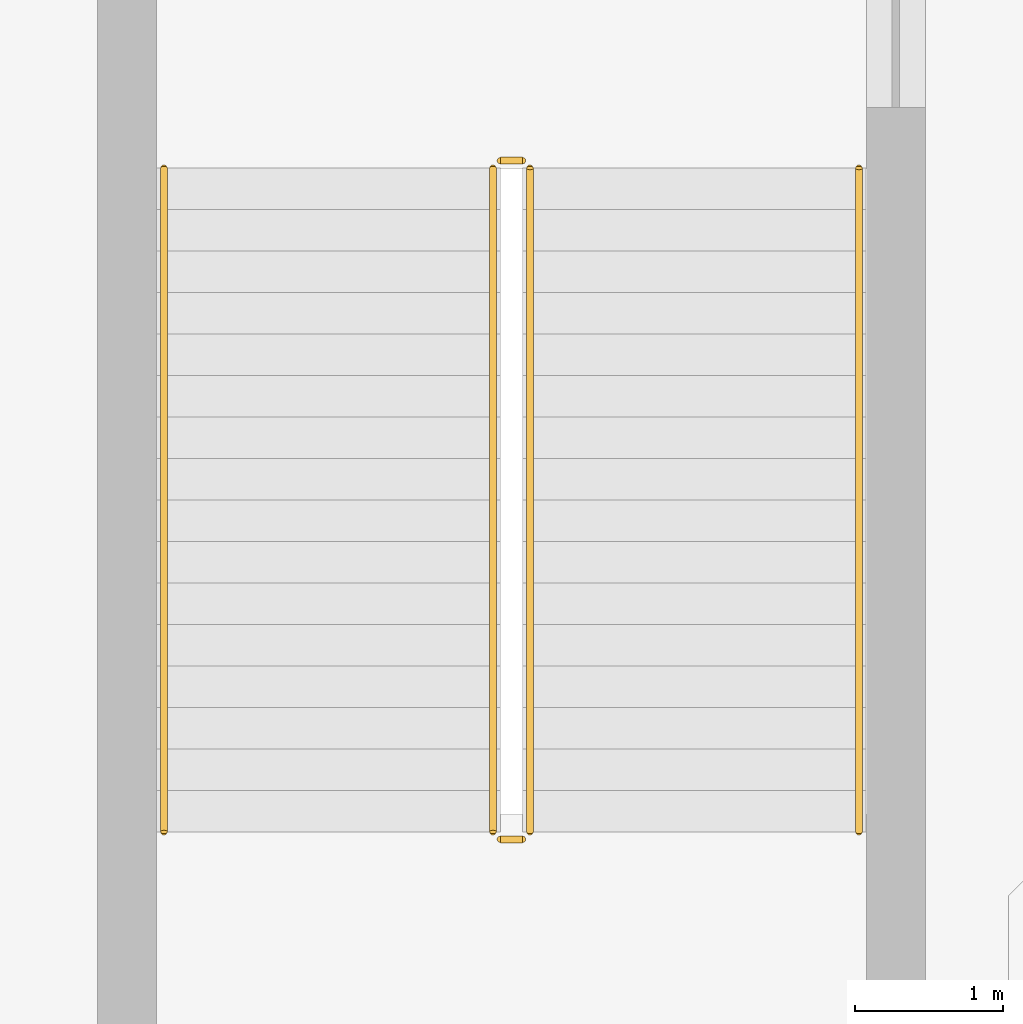
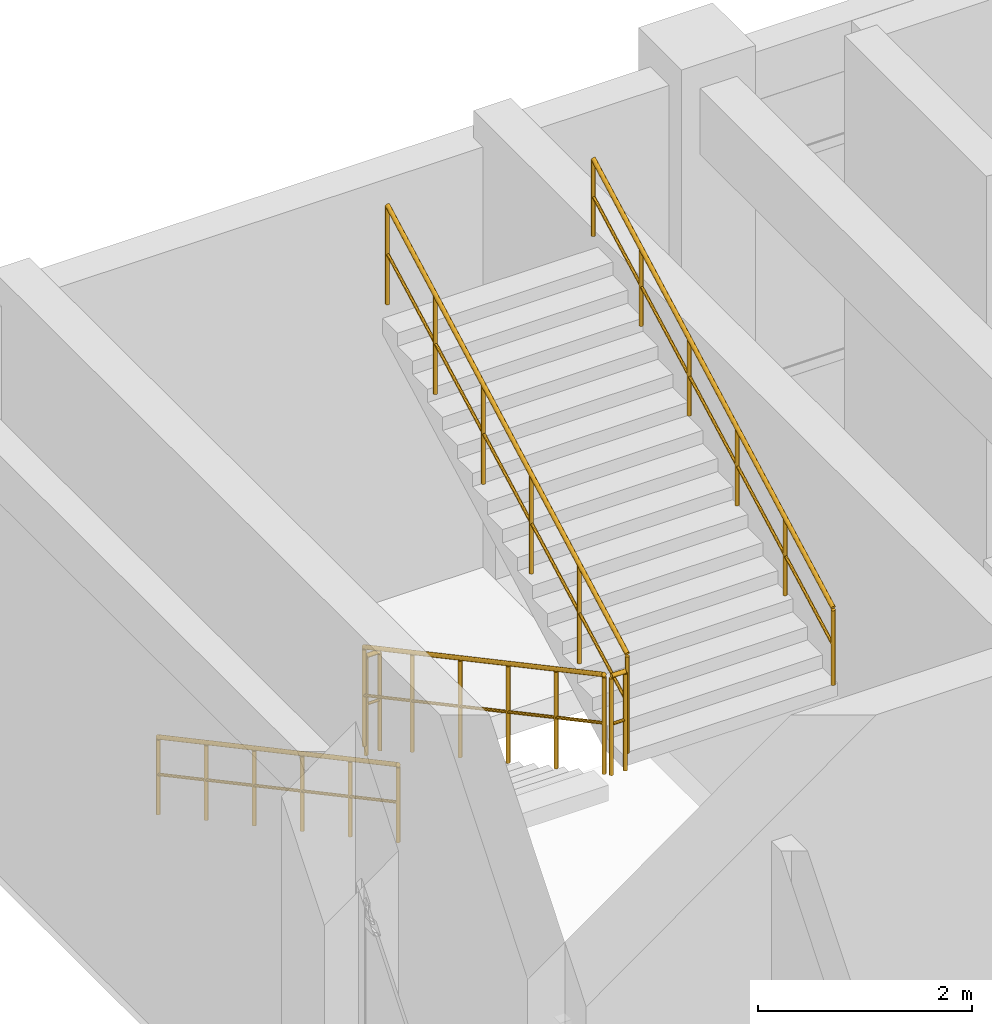
# One storey, part 119 of 124: 6 railings.
"""IFC4 building model written with IfcOpenShell, lengths in metres."""

from ifc_helpers import new_model, si_unit, derived_unit, direction, frame, origin, origin_2d, place, context, subcontext, project, spatial, circle, extrude, material, type_object, element, save


model = new_model("IFC4")

# Units and contexts
model_context = context("Model", 3, precision=1e-05, world=origin(), true_north=direction((0.0, 1.0)))
body_context = subcontext(model_context, "Body", "Model", "MODEL_VIEW")
ifc_project = project(units=[si_unit("LENGTHUNIT", "METRE"), si_unit("AREAUNIT", "SQUARE_METRE"), si_unit("VOLUMEUNIT", "CUBIC_METRE"), si_unit("PLANEANGLEUNIT", "RADIAN"), si_unit("MASSUNIT", "GRAM", prefix="KILO"), derived_unit("THERMALTRANSMITTANCEUNIT", [(si_unit("MASSUNIT", "GRAM", prefix="KILO"), 1), (si_unit("TIMEUNIT", "SECOND"), -3), (si_unit("THERMODYNAMICTEMPERATUREUNIT", "KELVIN"), -1)])], contexts=[model_context])

# Site, building, storey
site_placement = place(None, origin())
site = spatial("IfcSite", under=ifc_project, at=site_placement, CompositionType="ELEMENT")
building_placement = place(site_placement, origin())
building = spatial("IfcBuilding", under=site, at=building_placement, Name="Qinzheling Arcade Emporium", CompositionType="ELEMENT")
storey_placement = place(building_placement, frame((0.0, 0.0, 16.5)))
storey = spatial("IfcBuildingStorey", under=building, at=storey_placement, Name="L04", CompositionType="ELEMENT", Elevation=16.5)

# Railings
ifc_material_1 = material(Name="Galvanised powder-coated tubular steel", Category="steel")
railing_type_1 = type_object("IfcRailingType", Name="Painted Steel Stairwell Guard Railing 1150", PredefinedType="GUARDRAIL", material=ifc_material_1)
railing_1_placement = place(storey_placement, frame((38.570068359375, 71.47998046875, 0.14990234375)))
element("IfcRailing", 1, at=railing_1_placement, inside=storey, type_object=railing_type_1, Name="L04 ST03 stair guard 1", PredefinedType="GUARDRAIL", context=body_context, shape_type="SweptSolid", body=[
    extrude(circle(Radius=0.02392578125, at=origin_2d()), frame((0.0, 0.0, 1.1259765625), z_axis=(0.0, -0.881467115574, 0.472245406714), x_axis=(1.0, 0.0, 0.0)), (0.0, 0.0, 1.0), 5.08251953125),
    extrude(circle(Radius=0.01611328125, at=origin_2d()), frame((0.0, 0.0, 0.574951171875), z_axis=(0.0, -0.881467115574, 0.472245406714), x_axis=(1.0, 0.0, 0.0)), (0.0, 0.0, 1.0), 5.08251953125),
    extrude(circle(Radius=0.02099609375, at=origin_2d()), origin(), (0.0, 0.0, 1.0), 1.101806640625),
    extrude(circle(Radius=0.02099609375, at=origin_2d()), frame((0.0, -0.89599609375, 0.47998046875)), (0.0, 0.0, 1.0), 1.101806640625),
    extrude(circle(Radius=0.02099609375, at=origin_2d()), frame((0.0, -1.7919921875, 0.9599609375)), (0.0, 0.0, 1.0), 1.101806640625),
    extrude(circle(Radius=0.02099609375, at=origin_2d()), frame((0.0, -2.68798828125, 1.440185546875)), (0.0, 0.0, 1.0), 1.101806640625),
    extrude(circle(Radius=0.02099609375, at=origin_2d()), frame((0.0, -3.583984375, 1.920166015625)), (0.0, 0.0, 1.0), 1.101806640625),
    extrude(circle(Radius=0.02099609375, at=origin_2d()), frame((0.0, -4.47998046875, 2.400146484375)), (0.0, 0.0, 1.0), 1.101806640625),
])
railing_2_placement = place(storey_placement, frame((38.6201171875, 66.949951171875, 2.550048828125)))
element("IfcRailing", 2, at=railing_2_placement, inside=storey, type_object=railing_type_1, Name="L04 ST03 stair guard 2", PredefinedType="GUARDRAIL", context=body_context, shape_type="SweptSolid", body=[
    extrude(circle(Radius=0.02392578125, at=origin_2d()), frame((0.0, 0.0, 1.1259765625), z_axis=(1.0, 0.0, 0.0), x_axis=(0.0, 1.0, 0.0)), (0.0, 0.0, 1.0), 0.14990234375),
    extrude(circle(Radius=0.01611328125, at=origin_2d()), frame((0.0, 0.0, 0.574951171875), z_axis=(1.0, 0.0, 0.0), x_axis=(0.0, 1.0, 0.0)), (0.0, 0.0, 1.0), 0.14990234375),
    extrude(circle(Radius=0.02099609375, at=origin_2d()), origin(), (0.0, 0.0, 1.0), 1.101806640625),
    extrude(circle(Radius=0.02099609375, at=origin_2d()), frame((0.14990234375, 0.0, 0.0)), (0.0, 0.0, 1.0), 1.101806640625),
])
railing_3_placement = place(storey_placement, frame((38.820068359375, 67.0, 2.699951171875)))
element("IfcRailing", 3, at=railing_3_placement, inside=storey, type_object=railing_type_1, Name="L04 ST03 stair guard 3", PredefinedType="GUARDRAIL", context=body_context, shape_type="SweptSolid", body=[
    extrude(circle(Radius=0.02392578125, at=origin_2d()), frame((0.0, 0.0, 1.1259765625), z_axis=(0.0, 0.881467115574, 0.472245406714), x_axis=(-1.0, 0.0, 0.0)), (0.0, 0.0, 1.0), 5.08251953125),
    extrude(circle(Radius=0.01611328125, at=origin_2d()), frame((0.0, 0.0, 0.574951171875), z_axis=(0.0, 0.881467115574, 0.472245406714), x_axis=(-1.0, 0.0, 0.0)), (0.0, 0.0, 1.0), 5.08251953125),
    extrude(circle(Radius=0.02099609375, at=origin_2d()), origin(), (0.0, 0.0, 1.0), 1.101806640625),
    extrude(circle(Radius=0.02099609375, at=origin_2d()), frame((0.0, 0.89599609375, 0.47998046875)), (0.0, 0.0, 1.0), 1.101806640625),
    extrude(circle(Radius=0.02099609375, at=origin_2d()), frame((0.0, 1.7919921875, 0.9599609375)), (0.0, 0.0, 1.0), 1.101806640625),
    extrude(circle(Radius=0.02099609375, at=origin_2d()), frame((0.0, 2.68798828125, 1.440185546875)), (0.0, 0.0, 1.0), 1.101806640625),
    extrude(circle(Radius=0.02099609375, at=origin_2d()), frame((0.0, 3.583984375, 1.920166015625)), (0.0, 0.0, 1.0), 1.101806640625),
    extrude(circle(Radius=0.02099609375, at=origin_2d()), frame((0.0, 4.47998046875, 2.400146484375)), (0.0, 0.0, 1.0), 1.101806640625),
])
railing_4_placement = place(storey_placement, frame((38.6201171875, 71.530029296875, 0.0)))
element("IfcRailing", 4, at=railing_4_placement, inside=storey, type_object=railing_type_1, Name="L04 ST03 stair guard 4", PredefinedType="GUARDRAIL", context=body_context, shape_type="SweptSolid", body=[
    extrude(circle(Radius=0.02392578125, at=origin_2d()), frame((0.0, 0.0, 1.1259765625), z_axis=(1.0, 0.0, 0.0), x_axis=(0.0, 1.0, 0.0)), (0.0, 0.0, 1.0), 0.14990234375),
    extrude(circle(Radius=0.01611328125, at=origin_2d()), frame((0.0, 0.0, 0.574951171875), z_axis=(1.0, 0.0, 0.0), x_axis=(0.0, 1.0, 0.0)), (0.0, 0.0, 1.0), 0.14990234375),
    extrude(circle(Radius=0.02099609375, at=origin_2d()), origin(), (0.0, 0.0, 1.0), 1.101806640625),
    extrude(circle(Radius=0.02099609375, at=origin_2d()), frame((0.14990234375, 0.0, 0.0)), (0.0, 0.0, 1.0), 1.101806640625),
])
ifc_material_2 = material(Name="Brushed stainless steel 304", Category="steel")
railing_type_2 = type_object("IfcRailingType", Name="Stainless Steel Wall Handrail 900", PredefinedType="HANDRAIL", material=ifc_material_2)
railing_5_placement = place(storey_placement, frame((36.35009765625, 71.47998046875, 0.14990234375)))
element("IfcRailing", 5, at=railing_5_placement, inside=storey, type_object=railing_type_2, Name="L04 ST03 stair handrail 1", PredefinedType="HANDRAIL", context=body_context, shape_type="SweptSolid", body=[
    extrude(circle(Radius=0.02392578125, at=origin_2d()), frame((0.0, 0.0, 0.8759765625), z_axis=(0.0, -0.881467115574, 0.472245406714), x_axis=(1.0, 0.0, 0.0)), (0.0, 0.0, 1.0), 5.08251953125),
    extrude(circle(Radius=0.01611328125, at=origin_2d()), frame((0.0, 0.0, 0.449951171875), z_axis=(0.0, -0.881467115574, 0.472245406714), x_axis=(1.0, 0.0, 0.0)), (0.0, 0.0, 1.0), 5.08251953125),
    extrude(circle(Radius=0.02099609375, at=origin_2d()), origin(), (0.0, 0.0, 1.0), 0.851806640625),
    extrude(circle(Radius=0.02099609375, at=origin_2d()), frame((0.0, -0.89599609375, 0.47998046875)), (0.0, 0.0, 1.0), 0.851806640625),
    extrude(circle(Radius=0.02099609375, at=origin_2d()), frame((0.0, -1.7919921875, 0.9599609375)), (0.0, 0.0, 1.0), 0.851806640625),
    extrude(circle(Radius=0.02099609375, at=origin_2d()), frame((0.0, -2.68798828125, 1.440185546875)), (0.0, 0.0, 1.0), 0.851806640625),
    extrude(circle(Radius=0.02099609375, at=origin_2d()), frame((0.0, -3.583984375, 1.920166015625)), (0.0, 0.0, 1.0), 0.851806640625),
    extrude(circle(Radius=0.02099609375, at=origin_2d()), frame((0.0, -4.47998046875, 2.400146484375)), (0.0, 0.0, 1.0), 0.851806640625),
])
railing_6_placement = place(storey_placement, frame((41.0400390625, 67.0, 2.699951171875)))
element("IfcRailing", 6, at=railing_6_placement, inside=storey, type_object=railing_type_2, Name="L04 ST03 stair handrail 2", PredefinedType="HANDRAIL", context=body_context, shape_type="SweptSolid", body=[
    extrude(circle(Radius=0.02392578125, at=origin_2d()), frame((0.0, 0.0, 0.8759765625), z_axis=(0.0, 0.881467115574, 0.472245406714), x_axis=(-1.0, 0.0, 0.0)), (0.0, 0.0, 1.0), 5.08251953125),
    extrude(circle(Radius=0.01611328125, at=origin_2d()), frame((0.0, 0.0, 0.449951171875), z_axis=(0.0, 0.881467115574, 0.472245406714), x_axis=(-1.0, 0.0, 0.0)), (0.0, 0.0, 1.0), 5.08251953125),
    extrude(circle(Radius=0.02099609375, at=origin_2d()), origin(), (0.0, 0.0, 1.0), 0.851806640625),
    extrude(circle(Radius=0.02099609375, at=origin_2d()), frame((0.0, 0.89599609375, 0.47998046875)), (0.0, 0.0, 1.0), 0.851806640625),
    extrude(circle(Radius=0.02099609375, at=origin_2d()), frame((0.0, 1.7919921875, 0.9599609375)), (0.0, 0.0, 1.0), 0.851806640625),
    extrude(circle(Radius=0.02099609375, at=origin_2d()), frame((0.0, 2.68798828125, 1.440185546875)), (0.0, 0.0, 1.0), 0.851806640625),
    extrude(circle(Radius=0.02099609375, at=origin_2d()), frame((0.0, 3.583984375, 1.920166015625)), (0.0, 0.0, 1.0), 0.851806640625),
    extrude(circle(Radius=0.02099609375, at=origin_2d()), frame((0.0, 4.47998046875, 2.400146484375)), (0.0, 0.0, 1.0), 0.851806640625),
])

save(model, "model.ifc")
